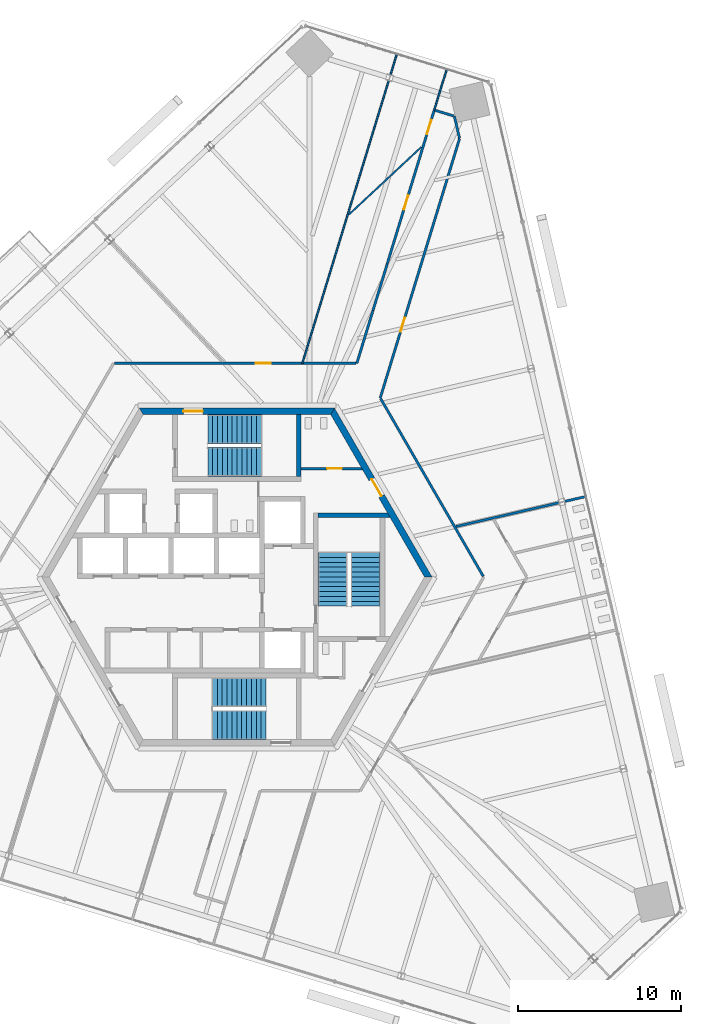
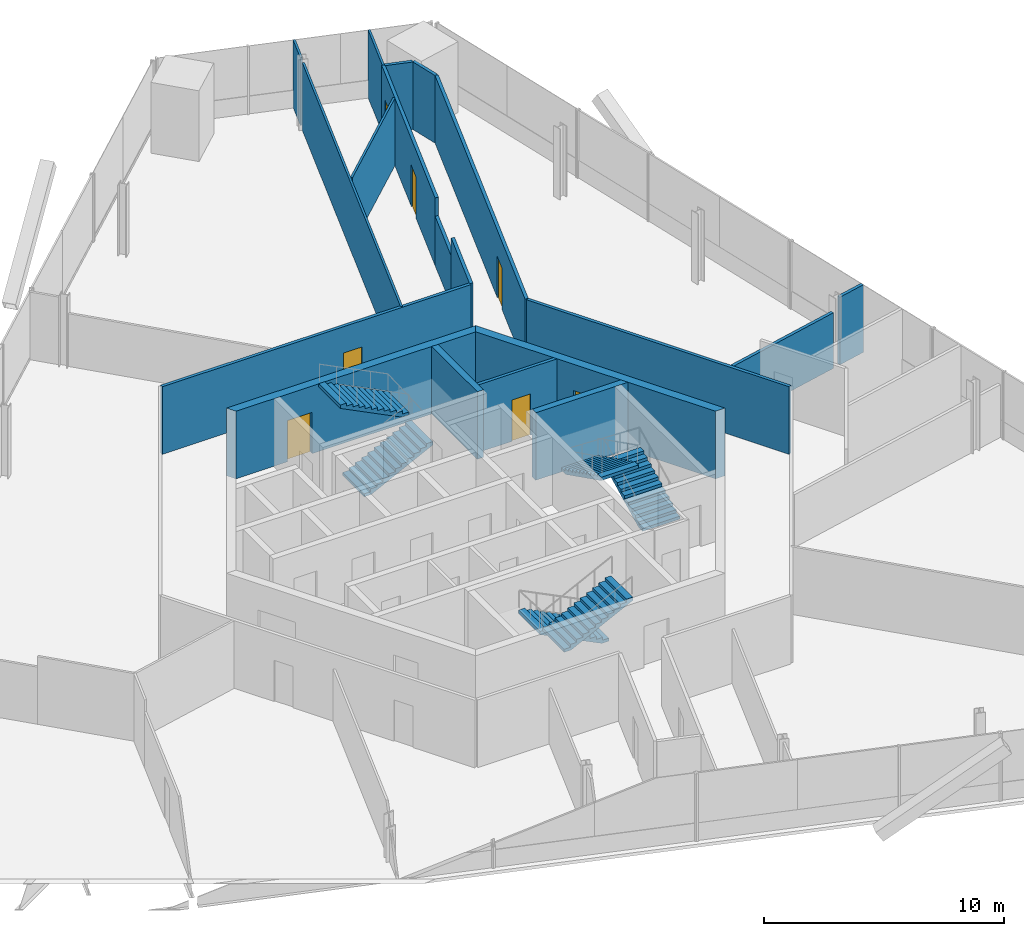
# One storey, part 13 of 17: 19 walls, 7 doors, 6 stair flights, 7 openings, 3 elements without a shape of their own.
"""IFC4 building model written with IfcOpenShell, lengths in metres."""

from ifc_helpers import new_model, si_unit, direction, frame, frame_2d, origin, place, context, subcontext, project, spatial, polyline, rectangle, outline, extrude, source, transform, mapped, material, layer, layer_set, type_object, element, fill, aggregate, save


model = new_model("IFC4")

# Units and contexts
model_context = context("Model", 3, precision=1e-05, world=origin(), true_north=direction((0.0, 1.0)))
body_context = subcontext(model_context, "Body", "Model", "MODEL_VIEW")
ifc_project = project(units=[si_unit("LENGTHUNIT", "METRE"), si_unit("AREAUNIT", "SQUARE_METRE"), si_unit("VOLUMEUNIT", "CUBIC_METRE"), si_unit("PLANEANGLEUNIT", "RADIAN"), si_unit("MASSUNIT", "GRAM", prefix="KILO")], contexts=[model_context])

# Site, building, storey
site_placement = place(None, origin())
site = spatial("IfcSite", under=ifc_project, at=site_placement, CompositionType="ELEMENT")
building_placement = place(site_placement, origin())
building = spatial("IfcBuilding", under=site, at=building_placement, Name="Triune Harvest Tower", CompositionType="ELEMENT")
storey_placement = place(building_placement, frame((0.0, 0.0, 123.5)))
storey = spatial("IfcBuildingStorey", under=building, at=storey_placement, Name="L31", CompositionType="ELEMENT", Elevation=123.5)

# Walls
ifc_material_1 = material(Name="Gypsum board on steel studs", Category="steel")
ifc_layer_1 = layer(ifc_material_1, 0.14990234375)
ifc_layer_set_1 = layer_set([ifc_layer_1], Name="Gypsum board on steel studs")
wall_type_1 = type_object("IfcWallType", Name="Fire Partition 150 mm", PredefinedType="PARTITIONING", material=ifc_layer_set_1)
wall_1_placement = place(storey_placement, frame((13.37255859375, 28.343017578125, 0.0), z_axis=(0.0, 0.0, 1.0), x_axis=(0.224949210991, -0.974370490355, 0.0)))
element("IfcWall", 1, at=wall_1_placement, inside=storey, type_object=wall_type_1, Name="Partition L31 001", PredefinedType="PARTITIONING", context=body_context, shape_type="SweptSolid", body=[
    extrude(rectangle(XDim=1.391357421875, YDim=0.14990234375, at=frame_2d((0.69580078125, 0.0))), origin(), (0.0, 0.0, 1.0), 3.43994140625),
])
wall_2_placement = place(storey_placement, frame((8.833984375, 10.98388671875, 0.0), z_axis=(0.0, 0.0, 1.0), x_axis=(0.499996807431, -0.866027247007, 0.0)))
element("IfcWall", 2, at=wall_2_placement, inside=storey, type_object=wall_type_1, Name="Partition L31 003", PredefinedType="PARTITIONING", context=body_context, shape_type="SweptSolid", body=[
    extrude(rectangle(XDim=12.6328125, YDim=0.14990234375, at=frame_2d((6.31640625, 0.0))), origin(), (0.0, 0.0, 1.0), 3.43994140625),
])
wall_3_placement = place(storey_placement, frame((12.1826171875, 28.706787109375, 0.0), z_axis=(0.0, 0.0, 1.0), x_axis=(0.956259485786, -0.292519735819, 0.0)))
element("IfcWall", 3, at=wall_3_placement, inside=storey, type_object=wall_type_1, Name="Partition L31 012", PredefinedType="PARTITIONING", context=body_context, shape_type="SweptSolid", body=[
    extrude(rectangle(XDim=1.1943359375, YDim=0.14990234375, at=frame_2d((0.59716796875, 0.0))), origin(), (0.0, 0.0, 1.0), 3.43994140625),
])

# Wall, opening, door
wall_4_placement = place(storey_placement, frame((-7.53759765625, 13.142333984375, 0.0), z_axis=(0.0, 0.0, 1.0), x_axis=(1.0, 0.0, 0.0)))
wall_4 = element("IfcWall", 4, at=wall_4_placement, inside=storey, type_object=wall_type_1, Name="Partition L31 015", PredefinedType="PARTITIONING", context=body_context, shape_type="SweptSolid", body=[
    extrude(rectangle(XDim=14.859375, YDim=0.14990234375, at=frame_2d((7.4296875, 0.0))), origin(), (0.0, 0.0, 1.0), 3.43994140625),
])
opening_1_placement = place(wall_4_placement, frame((8.705810546875, 0.0, 0.0)))
opening_1 = element("IfcOpeningElement", 5, at=opening_1_placement, cuts=wall_4, Name="Opening L31-009", PredefinedType="OPENING", context=body_context, shape_type="SweptSolid", body=[
    extrude(rectangle(XDim=0.89990234375, YDim=2.10009765625, at=frame_2d((0.449951171875, 1.050048828125))), frame((0.0, 0.0849609375, 0.0), z_axis=(0.0, -1.0, 0.0), x_axis=(1.0, 0.0, 0.0)), (0.0, 0.0, 1.0), 0.169921875),
])
ifc_material_2 = material(Name="Timber and steel door set", Category="steel")
door_type_1 = type_object("IfcDoorType", Name="Single leaf door FD30 right hand 900 x 2100", OperationType="SINGLE_SWING_RIGHT", PredefinedType="DOOR", material=ifc_material_2)
door_1_placement = place(opening_1_placement, origin())
door_1 = element("IfcDoor", 6, at=door_1_placement, inside=storey, type_object=door_type_1, Name="Door L31-009 Office 31.09", OperationType="SINGLE_SWING_RIGHT", OverallHeight=2.10009765625, OverallWidth=0.89990234375, PredefinedType="DOOR", context=body_context, shape_type="SweptSolid", body=[
    extrude(rectangle(XDim=0.89990234375, YDim=2.10009765625, at=frame_2d((0.449951171875, 1.050048828125))), frame((0.0, 0.02490234375, 0.0), z_axis=(0.0, -1.0, 0.0), x_axis=(1.0, 0.0, 0.0)), (0.0, 0.0, 1.0), 0.050048828125),
])
fill(opening_1, door_1)

# Wall
wall_5_placement = place(storey_placement, frame((20.156005859375, 4.6533203125, 0.0), z_axis=(0.0, 0.0, 1.0), x_axis=(0.974403495758, 0.22480619977, 0.0)))
element("IfcWall", 7, at=wall_5_placement, inside=storey, type_object=wall_type_1, Name="Partition L31 022", PredefinedType="PARTITIONING", context=body_context, shape_type="SweptSolid", body=[
    extrude(rectangle(XDim=1.337890625, YDim=0.14990234375, at=frame_2d((0.6689453125, 0.0))), origin(), (0.0, 0.0, 1.0), 3.43994140625),
])

# Wall, opening, door
wall_6_placement = place(storey_placement, frame((8.81396484375, 11.0185546875, 0.0), z_axis=(0.0, 0.0, 1.0), x_axis=(0.29236134354, 0.956307923633, 0.0)))
wall_6 = element("IfcWall", 8, at=wall_6_placement, inside=storey, type_object=wall_type_1, Name="Partition L31 031", PredefinedType="PARTITIONING", context=body_context, shape_type="SweptSolid", body=[
    extrude(rectangle(XDim=16.677978515625, YDim=0.14990234375, at=frame_2d((8.3388671875, 0.0))), origin(), (0.0, 0.0, 1.0), 3.43994140625),
])
opening_2_placement = place(wall_6_placement, frame((4.25, 0.0, 0.0)))
opening_2 = element("IfcOpeningElement", 9, at=opening_2_placement, cuts=wall_6, Name="Opening L31-007", PredefinedType="OPENING", context=body_context, shape_type="SweptSolid", body=[
    extrude(rectangle(XDim=0.89990234375, YDim=2.10009765625, at=frame_2d((0.449951171875, 1.050048828125))), frame((0.0, 0.0849609375, 0.0), z_axis=(0.0, -1.0, 0.0), x_axis=(1.0, 0.0, 0.0)), (0.0, 0.0, 1.0), 0.169921875),
])
door_2_placement = place(opening_2_placement, origin())
door_2 = element("IfcDoor", 10, at=door_2_placement, inside=storey, type_object=door_type_1, Name="Door L31-007 Open Office 31.07", OperationType="SINGLE_SWING_RIGHT", OverallHeight=2.10009765625, OverallWidth=0.89990234375, PredefinedType="DOOR", context=body_context, shape_type="SweptSolid", body=[
    extrude(rectangle(XDim=0.89990234375, YDim=2.10009765625, at=frame_2d((0.449951171875, 1.050048828125))), frame((0.0, 0.02490234375, 0.0), z_axis=(0.0, -1.0, 0.0), x_axis=(1.0, 0.0, 0.0)), (0.0, 0.0, 1.0), 0.050048828125),
])
fill(opening_2, door_2)

# Wall
wall_7_placement = place(storey_placement, frame((7.37158203125, 13.142333984375, 0.0), z_axis=(0.0, 0.0, 1.0), x_axis=(0.292349861733, 0.956311433762, 0.0)))
element("IfcWall", 11, at=wall_7_placement, inside=storey, type_object=wall_type_1, Name="Partition L31 033", PredefinedType="PARTITIONING", context=body_context, shape_type="SweptSolid", body=[
    extrude(rectangle(XDim=3.400634765625, YDim=0.14990234375, at=frame_2d((1.7001953125, 0.0))), origin(), (0.0, 0.0, 1.0), 3.43994140625),
])

# Wall, openings, doors
wall_8_placement = place(storey_placement, frame((9.23876953125, 19.24951171875, 0.0), z_axis=(0.0, 0.0, 1.0), x_axis=(0.292391372462, 0.956298742711, 0.0)))
wall_8 = element("IfcWall", 12, at=wall_8_placement, inside=storey, type_object=wall_type_1, Name="Partition L31 033b", PredefinedType="PARTITIONING", context=body_context, shape_type="SweptSolid", body=[
    extrude(rectangle(XDim=9.904541015625, YDim=0.14990234375, at=frame_2d((4.9521484375, 0.0))), origin(), (0.0, 0.0, 1.0), 3.43994140625),
])
opening_3_placement = place(wall_8_placement, frame((3.5126953125, 0.0, 0.0)))
opening_3 = element("IfcOpeningElement", 13, at=opening_3_placement, cuts=wall_8, Name="Opening L31-006", PredefinedType="OPENING", context=body_context, shape_type="SweptSolid", body=[
    extrude(rectangle(XDim=0.89990234375, YDim=2.10009765625, at=frame_2d((0.449951171875, 1.050048828125))), frame((0.0, 0.0849609375, 0.0), z_axis=(0.0, -1.0, 0.0), x_axis=(1.0, 0.0, 0.0)), (0.0, 0.0, 1.0), 0.169921875),
])
opening_4_placement = place(wall_8_placement, frame((8.364501953125, 0.0, 0.0)))
opening_4 = element("IfcOpeningElement", 14, at=opening_4_placement, cuts=wall_8, Name="Opening L31-008", PredefinedType="OPENING", context=body_context, shape_type="SweptSolid", body=[
    extrude(rectangle(XDim=0.89990234375, YDim=2.10009765625, at=frame_2d((0.449951171875, 1.050048828125))), frame((0.0, 0.0849609375, 0.0), z_axis=(0.0, -1.0, 0.0), x_axis=(1.0, 0.0, 0.0)), (0.0, 0.0, 1.0), 0.169921875),
])
door_3_placement = place(opening_3_placement, origin())
door_3 = element("IfcDoor", 15, at=door_3_placement, inside=storey, type_object=door_type_1, Name="Door L31-006 Dry Store Room 31.06", OperationType="SINGLE_SWING_RIGHT", OverallHeight=2.10009765625, OverallWidth=0.89990234375, PredefinedType="DOOR", context=body_context, shape_type="SweptSolid", body=[
    extrude(rectangle(XDim=0.89990234375, YDim=2.10009765625, at=frame_2d((0.449951171875, 1.050048828125))), frame((0.0, 0.02490234375, 0.0), z_axis=(0.0, -1.0, 0.0), x_axis=(1.0, 0.0, 0.0)), (0.0, 0.0, 1.0), 0.050048828125),
])
fill(opening_3, door_3)
door_4_placement = place(opening_4_placement, origin())
door_4 = element("IfcDoor", 16, at=door_4_placement, inside=storey, type_object=door_type_1, Name="Door L31-008 Board Room 31.08", OperationType="SINGLE_SWING_RIGHT", OverallHeight=2.10009765625, OverallWidth=0.89990234375, PredefinedType="DOOR", context=body_context, shape_type="SweptSolid", body=[
    extrude(rectangle(XDim=0.89990234375, YDim=2.10009765625, at=frame_2d((0.449951171875, 1.050048828125))), frame((0.0, 0.02490234375, 0.0), z_axis=(0.0, -1.0, 0.0), x_axis=(1.0, 0.0, 0.0)), (0.0, 0.0, 1.0), 0.050048828125),
])
fill(opening_4, door_4)

# Walls
ifc_material_3 = material(Name="Gypsum board on steel studs", Category="steel")
ifc_layer_2 = layer(ifc_material_3, 0.10009765625)
ifc_layer_set_2 = layer_set([ifc_layer_2], Name="Gypsum board on steel studs")
wall_type_2 = type_object("IfcWallType", Name="Partition 100 mm", PredefinedType="PARTITIONING", material=ifc_layer_set_2)
wall_9_placement = place(storey_placement, frame((6.897705078125, 22.30517578125, 0.0), z_axis=(0.0, 0.0, 1.0), x_axis=(0.731373287718, 0.681977355938, 0.0)))
element("IfcWall", 17, at=wall_9_placement, inside=storey, type_object=wall_type_2, Name="Partition L31 023", PredefinedType="PARTITIONING", context=body_context, shape_type="SweptSolid", body=[
    extrude(rectangle(XDim=6.074462890625, YDim=0.10009765625, at=frame_2d((3.037109375, 0.0))), origin(), (0.0, 0.0, 1.0), 3.43994140625),
])
wall_10_placement = place(storey_placement, frame((12.134765625, 28.72119140625, 0.0), z_axis=(0.0, 0.0, 1.0), x_axis=(0.292355904027, 0.956309586578, 0.0)))
element("IfcWall", 18, at=wall_10_placement, inside=storey, type_object=wall_type_2, Name="Partition L31 034", PredefinedType="PARTITIONING", context=body_context, shape_type="SweptSolid", body=[
    extrude(rectangle(XDim=2.618896484375, YDim=0.10009765625, at=frame_2d((1.3095703125, 0.0))), origin(), (0.0, 0.0, 1.0), 3.43994140625),
])

# Wall, opening, door
ifc_material_4 = material(Name="Concrete 70 MPa", Category="concrete")
ifc_layer_3 = layer(ifc_material_4, 0.39990234375)
ifc_layer_set_3 = layer_set([ifc_layer_3], Name="Concrete 70 MPa")
wall_type_3 = type_object("IfcWallType", Name="Core wall 400", PredefinedType="SHEAR", material=ifc_layer_set_3)
shared_shape_1 = source(origin(), body_context, "Body", "SweptSolid", [
    extrude(outline(polyline([(-0.115478515625, -0.199951171875), (11.884521484375, -0.199951171875), (11.653564453125, 0.199951171875), (0.115478515625, 0.199951171875), (-0.115478515625, -0.199951171875)])), origin(), (0.0, 0.0, 1.0), 3.43994140625),
])
wall_11_placement = place(storey_placement, frame((11.76904296875, 0.0, 0.0), z_axis=(0.0, 0.0, 1.0), x_axis=(-0.499996592174, 0.866027371285, 0.0)))
wall_11 = element("IfcWall", 19, at=wall_11_placement, inside=storey, type_object=wall_type_3, Name="Hexagon 0 wall", PredefinedType="SHEAR", context=body_context, shape_type="MappedRepresentation", body=[
    mapped(shared_shape_1, transform((0.0, 0.0, 0.0), scale=1.0)),
])
opening_5_placement = place(wall_11_placement, frame((5.75048828125, 0.0, 0.0)))
opening_5 = element("IfcOpeningElement", 20, at=opening_5_placement, cuts=wall_11, Name="Opening CD-WCP", PredefinedType="OPENING", context=body_context, shape_type="SweptSolid", body=[
    extrude(rectangle(XDim=1.199951171875, YDim=2.10009765625, at=frame_2d((0.60009765625, 1.050048828125))), frame((0.0, 0.2099609375, 0.0), z_axis=(0.0, -1.0, 0.0), x_axis=(1.0, 0.0, 0.0)), (0.0, 0.0, 1.0), 0.419921875),
])
ifc_material_5 = material(Name="Steel S235", Category="steel")
door_type_2 = type_object("IfcDoorType", Name="Lobby door 1200 FD120", OperationType="SINGLE_SWING_LEFT", PredefinedType="DOOR", material=ifc_material_5)
door_5_placement = place(opening_5_placement, frame((1.199951171875, 0.0, 0.0), z_axis=(0.0, 0.0, 1.0), x_axis=(-1.0, 0.0, 0.0)))
door_5 = element("IfcDoor", 21, at=door_5_placement, inside=storey, type_object=door_type_2, Name="Door CD-WCP", OperationType="SINGLE_SWING_RIGHT", OverallHeight=2.10009765625, OverallWidth=1.199951171875, PredefinedType="DOOR", context=body_context, shape_type="SweptSolid", body=[
    extrude(rectangle(XDim=1.199951171875, YDim=2.10009765625, at=frame_2d((0.60009765625, 1.050048828125))), frame((0.0, 0.02490234375, 0.0), z_axis=(0.0, -1.0, 0.0), x_axis=(1.0, 0.0, 0.0)), (0.0, 0.0, 1.0), 0.050048828125),
])
fill(opening_5, door_5)

wall_12_placement = place(storey_placement, frame((5.884521484375, 10.1923828125, 0.0), z_axis=(0.0, 0.0, 1.0), x_axis=(-1.0, 0.0, 0.0)))
wall_12 = element("IfcWall", 22, at=wall_12_placement, inside=storey, type_object=wall_type_3, Name="Hexagon 1 wall", PredefinedType="SHEAR", context=body_context, shape_type="MappedRepresentation", body=[
    mapped(shared_shape_1, transform((0.0, 0.0, 0.0), scale=1.0)),
])
opening_6_placement = place(wall_12_placement, frame((7.984619140625, 0.0, 0.0)))
opening_6 = element("IfcOpeningElement", 23, at=opening_6_placement, cuts=wall_12, Name="Opening CD-S1P", PredefinedType="OPENING", context=body_context, shape_type="SweptSolid", body=[
    extrude(rectangle(XDim=1.199951171875, YDim=2.10009765625, at=frame_2d((0.60009765625, 1.050048828125))), frame((0.0, 0.2099609375, 0.0), z_axis=(0.0, -1.0, 0.0), x_axis=(1.0, 0.0, 0.0)), (0.0, 0.0, 1.0), 0.419921875),
])
ifc_material_6 = material(Name="Steel S235", Category="steel")
door_type_3 = type_object("IfcDoorType", Name="Stair door 1200 FD120", OperationType="SINGLE_SWING_LEFT", PredefinedType="DOOR", material=ifc_material_6)
door_6_placement = place(opening_6_placement, frame((1.199951171875, 0.0, 0.0), z_axis=(0.0, 0.0, 1.0), x_axis=(-1.0, 0.0, 0.0)))
door_6 = element("IfcDoor", 24, at=door_6_placement, inside=storey, type_object=door_type_3, Name="Door CD-S1P", OperationType="SINGLE_SWING_RIGHT", OverallHeight=2.10009765625, OverallWidth=1.199951171875, PredefinedType="DOOR", context=body_context, shape_type="SweptSolid", body=[
    extrude(rectangle(XDim=1.199951171875, YDim=2.10009765625, at=frame_2d((0.60009765625, 1.050048828125))), frame((0.0, 0.02490234375, 0.0), z_axis=(0.0, -1.0, 0.0), x_axis=(1.0, 0.0, 0.0)), (0.0, 0.0, 1.0), 0.050048828125),
])
fill(opening_6, door_6)

# Walls
ifc_material_7 = material(Name="Concrete 70 MPa", Category="concrete")
ifc_layer_4 = layer(ifc_material_7, 0.300048828125)
ifc_layer_set_4 = layer_set([ifc_layer_4], Name="Concrete 70 MPa")
wall_type_4 = type_object("IfcWallType", Name="Core wall 300", PredefinedType="SHEAR", material=ifc_layer_set_4)
shared_shape_2 = source(origin(), body_context, "Body", "SweptSolid", [
    extrude(outline(polyline([(0.0, -0.14990234375), (0.0, 0.14990234375), (4.260009765625, 0.14990234375), (4.43310546875, -0.14990234375), (0.0, -0.14990234375)])), origin(), (0.0, 0.0, 1.0), 3.43994140625),
])
wall_13_placement = place(storey_placement, frame((5.0, 3.800048828125, 0.0), z_axis=(0.0, 0.0, 1.0), x_axis=(1.0, 0.0, 0.0)))
element("IfcWall", 25, at=wall_13_placement, inside=storey, type_object=wall_type_4, Name="Stair e north wall", PredefinedType="SHEAR", context=body_context, shape_type="MappedRepresentation", body=[
    mapped(shared_shape_2, transform((0.0, 0.0, 0.0), scale=1.0)),
])
shared_shape_3 = source(origin(), body_context, "Body", "SweptSolid", [
    extrude(outline(polyline([(0.0, -0.14990234375), (0.0, 0.14990234375), (3.80419921875, 0.14990234375), (3.80419921875, -0.14990234375), (0.0, -0.14990234375)])), origin(), (0.0, 0.0, 1.0), 3.43994140625),
])
wall_14_placement = place(storey_placement, frame((3.800048828125, 6.18994140625, 0.0), z_axis=(0.0, 0.0, 1.0), x_axis=(0.0, 1.0, 0.0)))
element("IfcWall", 26, at=wall_14_placement, inside=storey, type_object=wall_type_4, Name="Stair n east wall", PredefinedType="SHEAR", context=body_context, shape_type="MappedRepresentation", body=[
    mapped(shared_shape_3, transform((0.0, 0.0, 0.0), scale=1.0)),
])

# Wall, opening, door
ifc_material_8 = material(Name="Concrete masonry unit", Category="masonry")
ifc_layer_5 = layer(ifc_material_8, 0.14990234375)
ifc_layer_set_5 = layer_set([ifc_layer_5], Name="Concrete masonry unit")
wall_type_5 = type_object("IfcWallType", Name="Block partition 150 unrated", PredefinedType="PARTITIONING", material=ifc_layer_set_5)
shared_shape_4 = source(origin(), body_context, "Body", "SweptSolid", [
    extrude(outline(polyline([(0.0, -0.074951171875), (0.0, 0.074951171875), (3.693359375, 0.074951171875), (3.77978515625, -0.074951171875), (0.0, -0.074951171875)])), origin(), (0.0, 0.0, 1.0), 3.43994140625),
])
wall_15_placement = place(storey_placement, frame((3.949951171875, 6.675048828125, 0.0), z_axis=(0.0, 0.0, 1.0), x_axis=(1.0, 0.0, 0.0)))
wall_15 = element("IfcWall", 27, at=wall_15_placement, inside=storey, type_object=wall_type_5, Name="Wc women south wall", PredefinedType="PARTITIONING", context=body_context, shape_type="MappedRepresentation", body=[
    mapped(shared_shape_4, transform((0.0, 0.0, 0.0), scale=1.0)),
])
opening_7_placement = place(wall_15_placement, frame((1.60009765625, 0.0, 0.0)))
opening_7 = element("IfcOpeningElement", 28, at=opening_7_placement, cuts=wall_15, Name="Opening CD-WW", PredefinedType="OPENING", context=body_context, shape_type="SweptSolid", body=[
    extrude(rectangle(XDim=0.89990234375, YDim=2.10009765625, at=frame_2d((0.449951171875, 1.050048828125))), frame((0.0, 0.0849609375, 0.0), z_axis=(0.0, -1.0, 0.0), x_axis=(1.0, 0.0, 0.0)), (0.0, 0.0, 1.0), 0.169921875),
])
ifc_material_9 = material(Name="Timber C24", Category="wood")
door_type_4 = type_object("IfcDoorType", Name="WC door 900", OperationType="SINGLE_SWING_LEFT", PredefinedType="DOOR", material=ifc_material_9)
door_7_placement = place(opening_7_placement, origin())
door_7 = element("IfcDoor", 29, at=door_7_placement, inside=storey, type_object=door_type_4, Name="Door CD-WW", OperationType="SINGLE_SWING_LEFT", OverallHeight=2.10009765625, OverallWidth=0.89990234375, PredefinedType="DOOR", context=body_context, shape_type="SweptSolid", body=[
    extrude(rectangle(XDim=0.89990234375, YDim=2.10009765625, at=frame_2d((0.449951171875, 1.050048828125))), frame((0.0, 0.02490234375, 0.0), z_axis=(0.0, -1.0, 0.0), x_axis=(1.0, 0.0, 0.0)), (0.0, 0.0, 1.0), 0.050048828125),
])
fill(opening_7, door_7)

# Walls
shared_shape_5 = source(origin(), body_context, "Body", "SweptSolid", [
    extrude(rectangle(XDim=1.338134765625, YDim=0.10009765625, at=frame_2d((0.6689453125, 0.0))), origin(), (0.0, 0.0, 1.0), 3.43994140625),
])
wall_16_placement = place(storey_placement, frame((9.44189453125, 30.883544921875, 0.0), z_axis=(0.0, 0.0, 1.0), x_axis=(0.292482749649, 0.956270799072, 0.0)))
element("IfcWall", 30, at=wall_16_placement, inside=storey, type_object=wall_type_2, Name="Partition L31 038", PredefinedType="PARTITIONING", context=body_context, shape_type="MappedRepresentation", body=[
    mapped(shared_shape_5, transform((0.0, 0.0, 0.0), scale=1.0)),
])
shared_shape_6 = source(origin(), body_context, "Body", "SweptSolid", [
    extrude(rectangle(XDim=6.50244140625, YDim=0.14990234375, at=frame_2d((3.251220703125, 0.0))), origin(), (0.0, 0.0, 1.0), 2.827880859375),
])
wall_17_placement = place(storey_placement, frame((13.468505859375, 3.109375, 0.0), z_axis=(0.0, 0.0, 1.0), x_axis=(0.974372207978, 0.224941770953, 0.0)))
element("IfcWall", 31, at=wall_17_placement, inside=storey, type_object=wall_type_1, Name="Partition L31 021", PredefinedType="PARTITIONING", context=body_context, shape_type="MappedRepresentation", body=[
    mapped(shared_shape_6, transform((0.0, 0.0, 0.0), scale=1.0)),
])
shared_shape_7 = source(origin(), body_context, "Body", "SweptSolid", [
    extrude(rectangle(XDim=2.98583984375, YDim=0.14990234375, at=frame_2d((1.492919921875, 0.0))), origin(), (0.0, 0.0, 1.0), 2.51806640625),
])
wall_18_placement = place(storey_placement, frame((8.36572265625, 16.394287109375, 0.0), z_axis=(0.0, 0.0, 1.0), x_axis=(0.292407574871, 0.956293788623, 0.0)))
element("IfcWall", 32, at=wall_18_placement, inside=storey, type_object=wall_type_1, Name="Partition L31 033a", PredefinedType="PARTITIONING", context=body_context, shape_type="MappedRepresentation", body=[
    mapped(shared_shape_7, transform((0.0, 0.0, 0.0), scale=1.0)),
])
shared_shape_8 = source(origin(), body_context, "Body", "SweptSolid", [
    extrude(rectangle(XDim=18.19091796875, YDim=0.10009765625, at=frame_2d((9.095458984375, 0.0))), origin(), (0.0, 0.0, 1.0), 3.43994140625),
])
wall_19_placement = place(storey_placement, frame((4.017822265625, 13.142333984375, 0.0), z_axis=(0.0, 0.0, 1.0), x_axis=(0.292377424593, 0.956303007204, 0.0)))
element("IfcWall", 33, at=wall_19_placement, inside=storey, type_object=wall_type_2, Name="Partition L31 037", PredefinedType="PARTITIONING", context=body_context, shape_type="MappedRepresentation", body=[
    mapped(shared_shape_8, transform((0.0, 0.0, 0.0), scale=1.0)),
])

# Stair, stair flights
ifc_material_10 = material(Name="Concrete 40 MPa", Category="concrete")
stair_type = type_object("IfcStairType", Name="Exit stair 1800 half turn", PredefinedType="HALF_TURN_STAIR", material=ifc_material_10)
stair_1_placement = place(storey_placement, origin())
stair_1 = element("IfcStair", 34, at=stair_1_placement, inside=storey, type_object=stair_type, Name="Exit stair north", PredefinedType="HALF_TURN_STAIR")
ifc_material_11 = material(Name="Concrete 40 MPa", Category="concrete")
stair_flight_type = type_object("IfcStairFlightType", Name="Stair flight 1800", PredefinedType="STRAIGHT", material=ifc_material_11)
shared_shape_9 = source(origin(), body_context, "Body", "SweptSolid", [
    extrude(outline(polyline([(0.0, 0.0), (0.0, 0.14990234375), (0.300048828125, 0.14990234375), (0.300048828125, 0.300048828125), (0.60009765625, 0.300048828125), (0.60009765625, 0.449951171875), (0.89990234375, 0.449951171875), (0.89990234375, 0.60009765625), (1.199951171875, 0.60009765625), (1.199951171875, 0.75), (1.5, 0.75), (1.5, 0.89990234375), (1.800048828125, 0.89990234375), (1.800048828125, 1.050048828125), (2.10009765625, 1.050048828125), (2.10009765625, 1.199951171875), (2.39990234375, 1.199951171875), (2.39990234375, 1.35009765625), (2.699951171875, 1.35009765625), (2.699951171875, 1.5), (3.0, 1.5), (3.0, 1.64990234375), (3.300048828125, 1.64990234375), (3.300048828125, 1.800048828125), (3.300048828125, 1.482421875), (0.335205078125, 0.0), (0.0, 0.0)])), frame((0.0, 0.89990234375, 0.0), z_axis=(0.0, -1.0, 0.0), x_axis=(1.0, 0.0, 0.0)), (0.0, 0.0, 1.0), 1.800048828125),
])
stair_flight_1_placement = place(storey_placement, frame((-1.7900390625, 7.090087890625, 0.0), z_axis=(0.0, 0.0, 1.0), x_axis=(1.0, 0.0, 0.0)))
stair_flight_1 = element("IfcStairFlight", 35, at=stair_flight_1_placement, type_object=stair_flight_type, Name="ST-1 flight 1", NumberOfRisers=12, NumberOfTreads=11, PredefinedType="STRAIGHT", RiserHeight=0.15, TreadLength=0.3, context=body_context, shape_type="MappedRepresentation", body=[
    mapped(shared_shape_9, transform((0.0, 0.0, 0.0), scale=1.0)),
])
stair_flight_2_placement = place(storey_placement, frame((1.510009765625, 9.090087890625, 1.800048828125), z_axis=(0.0, 0.0, 1.0), x_axis=(-1.0, 0.0, 0.0)))
stair_flight_2 = element("IfcStairFlight", 36, at=stair_flight_2_placement, type_object=stair_flight_type, Name="ST-1 flight 2", NumberOfRisers=12, NumberOfTreads=11, PredefinedType="STRAIGHT", RiserHeight=0.15, TreadLength=0.3, context=body_context, shape_type="MappedRepresentation", body=[
    mapped(shared_shape_9, transform((0.0, 0.0, 0.0), scale=1.0)),
])
aggregate(stair_1, [stair_flight_1, stair_flight_2])

stair_2_placement = place(storey_placement, origin())
stair_2 = element("IfcStair", 37, at=stair_2_placement, inside=storey, type_object=stair_type, Name="Exit stair south", PredefinedType="HALF_TURN_STAIR")
stair_flight_3_placement = place(storey_placement, frame((1.7900390625, -7.090087890625, 0.0), z_axis=(0.0, 0.0, 1.0), x_axis=(-1.0, 0.0, 0.0)))
stair_flight_3 = element("IfcStairFlight", 38, at=stair_flight_3_placement, type_object=stair_flight_type, Name="ST-2 flight 1", NumberOfRisers=12, NumberOfTreads=11, PredefinedType="STRAIGHT", RiserHeight=0.15, TreadLength=0.3, context=body_context, shape_type="MappedRepresentation", body=[
    mapped(shared_shape_9, transform((0.0, 0.0, 0.0), scale=1.0)),
])
stair_flight_4_placement = place(storey_placement, frame((-1.510009765625, -9.090087890625, 1.800048828125), z_axis=(0.0, 0.0, 1.0), x_axis=(1.0, 0.0, 0.0)))
stair_flight_4 = element("IfcStairFlight", 39, at=stair_flight_4_placement, type_object=stair_flight_type, Name="ST-2 flight 2", NumberOfRisers=12, NumberOfTreads=11, PredefinedType="STRAIGHT", RiserHeight=0.15, TreadLength=0.3, context=body_context, shape_type="MappedRepresentation", body=[
    mapped(shared_shape_9, transform((0.0, 0.0, 0.0), scale=1.0)),
])
aggregate(stair_2, [stair_flight_3, stair_flight_4])

stair_3_placement = place(storey_placement, origin())
stair_3 = element("IfcStair", 40, at=stair_3_placement, inside=storey, type_object=stair_type, Name="Exit stair east", PredefinedType="HALF_TURN_STAIR")
stair_flight_5_placement = place(storey_placement, frame((7.89990234375, -1.7900390625, 0.0), z_axis=(0.0, 0.0, 1.0), x_axis=(0.0, 1.0, 0.0)))
stair_flight_5 = element("IfcStairFlight", 41, at=stair_flight_5_placement, type_object=stair_flight_type, Name="ST-3 flight 1", NumberOfRisers=12, NumberOfTreads=11, PredefinedType="STRAIGHT", RiserHeight=0.15, TreadLength=0.3, context=body_context, shape_type="MappedRepresentation", body=[
    mapped(shared_shape_9, transform((0.0, 0.0, 0.0), scale=1.0)),
])
stair_flight_6_placement = place(storey_placement, frame((5.89990234375, 1.510009765625, 1.800048828125), z_axis=(0.0, 0.0, 1.0), x_axis=(0.0, -1.0, 0.0)))
stair_flight_6 = element("IfcStairFlight", 42, at=stair_flight_6_placement, type_object=stair_flight_type, Name="ST-3 flight 2", NumberOfRisers=12, NumberOfTreads=11, PredefinedType="STRAIGHT", RiserHeight=0.15, TreadLength=0.3, context=body_context, shape_type="MappedRepresentation", body=[
    mapped(shared_shape_9, transform((0.0, 0.0, 0.0), scale=1.0)),
])
aggregate(stair_3, [stair_flight_5, stair_flight_6])

save(model, "model.ifc")
